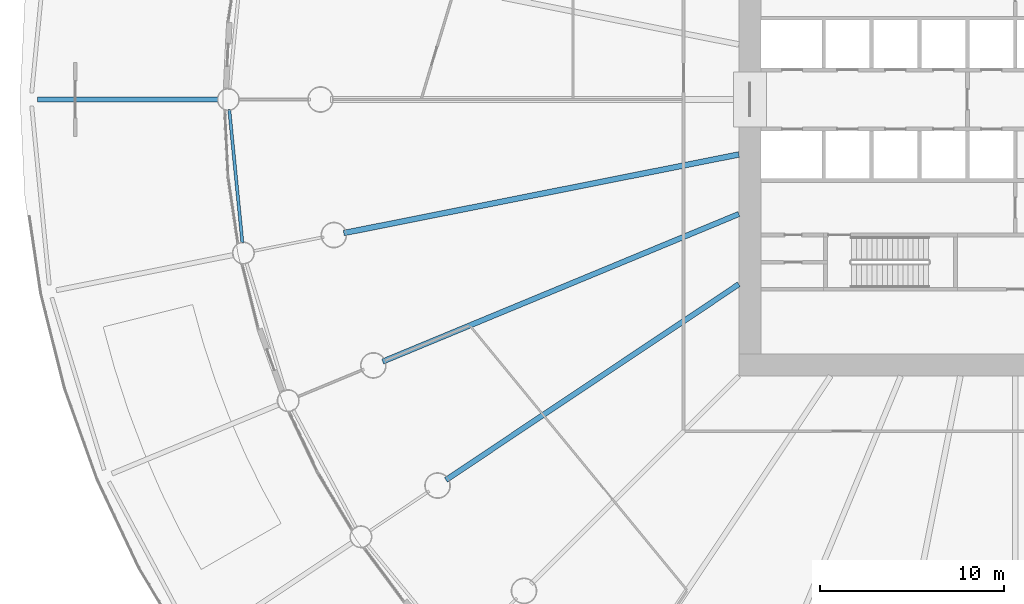
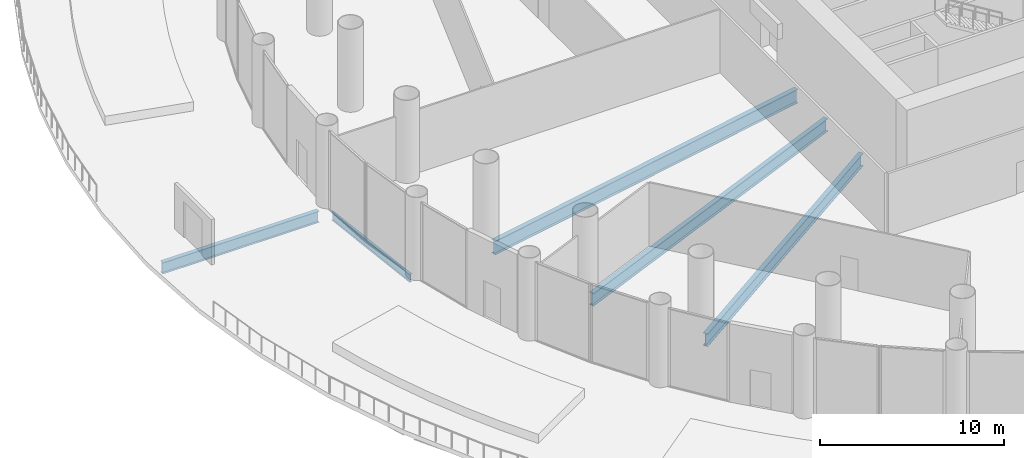
# One storey, part 7 of 36: 5 beams.
"""IFC4 building model written with IfcOpenShell, lengths in metres."""

from ifc_helpers import new_model, si_unit, direction, frame, origin, origin_2d, place, context, subcontext, project, spatial, i_section, extrude, material, material_profile, profile_set, type_object, element, save


model = new_model("IFC4")

# Units and contexts
model_context = context("Model", 3, precision=1e-05, world=origin(), true_north=direction((0.0, 1.0)))
body_context = subcontext(model_context, "Body", "Model", "MODEL_VIEW")
ifc_project = project(units=[si_unit("LENGTHUNIT", "METRE"), si_unit("AREAUNIT", "SQUARE_METRE"), si_unit("VOLUMEUNIT", "CUBIC_METRE"), si_unit("PLANEANGLEUNIT", "RADIAN"), si_unit("MASSUNIT", "GRAM", prefix="KILO")], contexts=[model_context])

# Site, building, storey
site_placement = place(None, origin())
site = spatial("IfcSite", under=ifc_project, at=site_placement, CompositionType="ELEMENT")
building_placement = place(site_placement, origin())
building = spatial("IfcBuilding", under=site, at=building_placement, Name="Corvane Civic Tower", CompositionType="ELEMENT")
storey_placement = place(building_placement, frame((0.0, 0.0, 6.0)))
storey = spatial("IfcBuildingStorey", under=building, at=storey_placement, Name="L01", CompositionType="ELEMENT", Elevation=6.0)

# Beams
ifc_material_1 = material(Name="Steel ASTM A992 Gr 50", Category="steel")
ifc_material_profile_1 = material_profile(ifc_material_1, i_section(OverallWidth=0.2666015625, OverallDepth=0.7568359375, WebThickness=0.013916015625, FlangeThickness=0.019287109375, at=origin_2d()), Name="W30X108")
ifc_profile_set_1 = profile_set([ifc_material_profile_1], Name="Steel ASTM A992 Gr 50")
beam_type_1 = type_object("IfcBeamType", Name="DECK BEAM W30X108", PredefinedType="BEAM", material=ifc_profile_set_1)
beam_1_placement = place(storey_placement, frame((-43.25, 0.0, -0.678466796875), z_axis=(-1.0, 0.0, 0.0), x_axis=(0.0, -1.0, 0.0)))
element("IfcBeam", 1, at=beam_1_placement, inside=storey, type_object=beam_type_1, Name="BM-L01-D25", PredefinedType="BEAM", context=body_context, shape_type="SweptSolid", body=[
    extrude(i_section(OverallWidth=0.2666015625, OverallDepth=0.7568359375, WebThickness=0.013916015625, FlangeThickness=0.019287109375, at=origin_2d()), origin(), (0.0, 0.0, 1.0), 9.800048828125),
])
ifc_material_2 = material(Name="Steel ASTM A992 Gr 50", Category="steel")
ifc_material_profile_2 = material_profile(ifc_material_2, i_section(OverallWidth=0.165771484375, OverallDepth=0.5283203125, WebThickness=0.009765625, FlangeThickness=0.013671875, at=origin_2d()), Name="W21X50")
ifc_profile_set_2 = profile_set([ifc_material_profile_2], Name="Steel ASTM A992 Gr 50")
beam_type_2 = type_object("IfcBeamType", Name="EDGE BEAM W21X50", PredefinedType="BEAM", material=ifc_profile_set_2)
beam_2_placement = place(storey_placement, frame((-41.93359375, -7.782958984375, -0.564208984375), z_axis=(-0.097984225478, 0.995187967953, 0.0), x_axis=(-0.995187967953, -0.097984225478, 0.0)))
element("IfcBeam", 2, at=beam_2_placement, inside=storey, type_object=beam_type_2, Name="BM-L01-E24", PredefinedType="BEAM", context=body_context, shape_type="SweptSolid", body=[
    extrude(i_section(OverallWidth=0.165771484375, OverallDepth=0.5283203125, WebThickness=0.009765625, FlangeThickness=0.013671875, at=origin_2d()), origin(), (0.0, 0.0, 1.0), 7.2705078125),
])
ifc_material_3 = material(Name="Steel ASTM A992 Gr 50", Category="steel")
ifc_material_profile_3 = material_profile(ifc_material_3, i_section(OverallWidth=0.2919921875, OverallDepth=0.845703125, WebThickness=0.015380859375, FlangeThickness=0.0244140625, at=origin_2d()), Name="W33X141")
ifc_profile_set_3 = profile_set([ifc_material_profile_3], Name="Steel ASTM A992 Gr 50")
beam_type_3 = type_object("IfcBeamType", Name="FLOOR GIRDER W33X141", PredefinedType="BEAM", material=ifc_profile_set_3)
beam_3_placement = place(storey_placement, frame((-15.0, -10.022705078125, -0.722900390625), z_axis=(-0.831471985418, -0.555566681385, 0.0), x_axis=(0.555566681385, -0.831471985418, 0.0)))
element("IfcBeam", 3, at=beam_3_placement, inside=storey, type_object=beam_type_3, Name="BM-L01-G22", PredefinedType="BEAM", context=body_context, shape_type="SweptSolid", body=[
    extrude(i_section(OverallWidth=0.2919921875, OverallDepth=0.845703125, WebThickness=0.015380859375, FlangeThickness=0.0244140625, at=origin_2d()), origin(), (0.0, 0.0, 1.0), 19.109619140625),
])
beam_4_placement = place(storey_placement, frame((-15.0, -6.213134765625, -0.722900390625), z_axis=(-0.923875834355, -0.382692360381, 0.0), x_axis=(0.382692360381, -0.923875834355, 0.0)))
element("IfcBeam", 4, at=beam_4_placement, inside=storey, type_object=beam_type_3, Name="BM-L01-G23", PredefinedType="BEAM", context=body_context, shape_type="SweptSolid", body=[
    extrude(i_section(OverallWidth=0.2919921875, OverallDepth=0.845703125, WebThickness=0.015380859375, FlangeThickness=0.0244140625, at=origin_2d()), origin(), (0.0, 0.0, 1.0), 20.9140625),
])
ifc_material_4 = material(Name="Steel ASTM A992 Gr 50", Category="steel")
ifc_material_profile_4 = material_profile(ifc_material_4, i_section(OverallWidth=0.3046875, OverallDepth=0.911865234375, WebThickness=0.015869140625, FlangeThickness=0.02392578125, at=origin_2d()), Name="W36X150")
ifc_profile_set_4 = profile_set([ifc_material_profile_4], Name="Steel ASTM A992 Gr 50")
beam_type_4 = type_object("IfcBeamType", Name="FLOOR GIRDER W36X150", PredefinedType="BEAM", material=ifc_profile_set_4)
beam_5_placement = place(storey_placement, frame((-15.0, -2.983642578125, -0.755859375), z_axis=(-0.980785499679, -0.195089219638, 0.0), x_axis=(0.195089219638, -0.980785499679, 0.0)))
element("IfcBeam", 5, at=beam_5_placement, inside=storey, type_object=beam_type_4, Name="BM-L01-G24", PredefinedType="BEAM", context=body_context, shape_type="SweptSolid", body=[
    extrude(i_section(OverallWidth=0.3046875, OverallDepth=0.911865234375, WebThickness=0.015869140625, FlangeThickness=0.02392578125, at=origin_2d()), origin(), (0.0, 0.0, 1.0), 21.856201171875),
])

save(model, "model.ifc")
